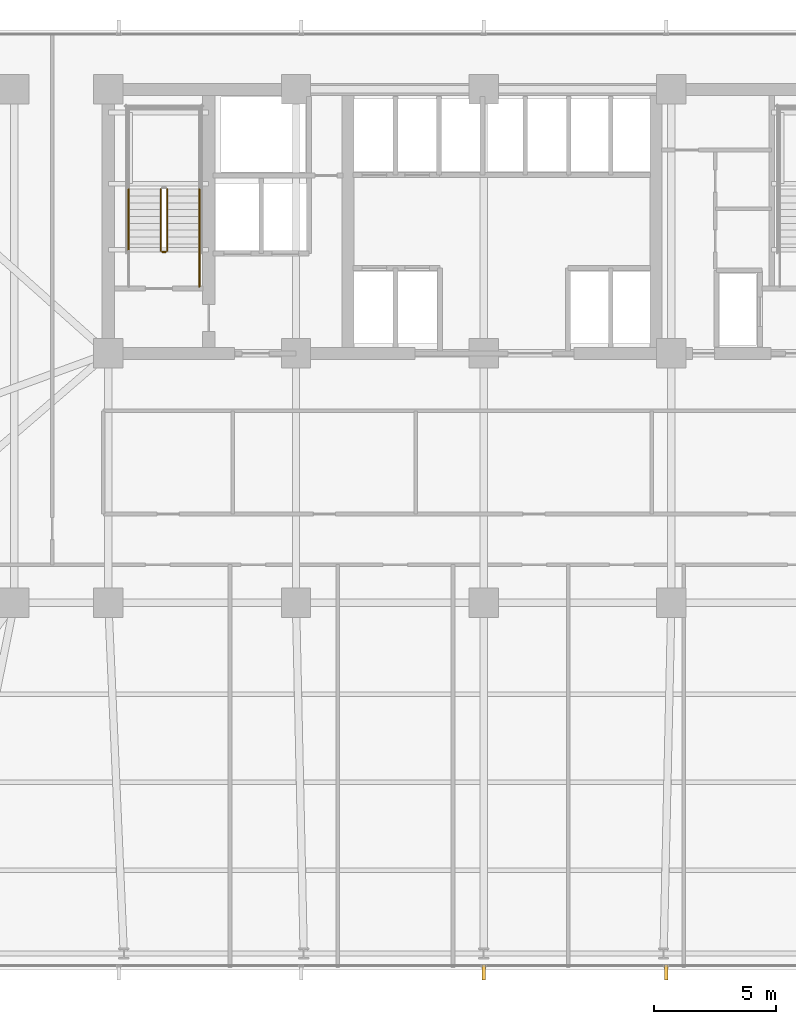
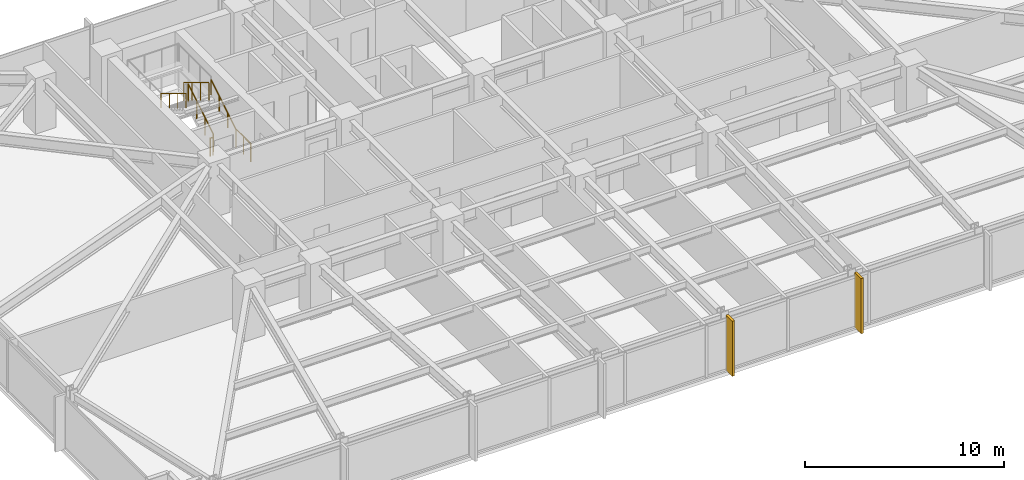
# One storey, part 28 of 32: 6 railings, 2 shading devices.
"""IFC4 building model written with IfcOpenShell, lengths in metres."""

from ifc_helpers import new_model, si_unit, direction, frame, origin, origin_2d, place, context, subcontext, project, spatial, rectangle, circle, extrude, material, layer, layer_set, type_object, element, save


model = new_model("IFC4")

# Units and contexts
model_context = context("Model", 3, precision=1e-05, world=origin(), true_north=direction((0.0, 1.0)))
body_context = subcontext(model_context, "Body", "Model", "MODEL_VIEW")
ifc_project = project(units=[si_unit("LENGTHUNIT", "METRE"), si_unit("AREAUNIT", "SQUARE_METRE"), si_unit("VOLUMEUNIT", "CUBIC_METRE"), si_unit("PLANEANGLEUNIT", "RADIAN"), si_unit("MASSUNIT", "GRAM", prefix="KILO")], contexts=[model_context])

# Site, building, storey
site_placement = place(None, origin())
site = spatial("IfcSite", under=ifc_project, at=site_placement, CompositionType="ELEMENT")
building_placement = place(site_placement, origin())
building = spatial("IfcBuilding", under=site, at=building_placement, Name="Yelkora Congress Tower", CompositionType="ELEMENT")
storey_placement = place(building_placement, frame((0.0, 0.0, 61.0)))
storey = spatial("IfcBuildingStorey", under=building, at=storey_placement, Name="L15", CompositionType="ELEMENT", Elevation=61.0)

# Railings
ifc_material_1 = material(Name="Painted galvanised steel stair well guard with vertical infill", Category="steel")
ifc_layer_1 = layer(ifc_material_1, 0.06005859375)
ifc_layer_set_1 = layer_set([ifc_layer_1], Name="Painted galvanised steel stair well guard with vertical infill")
railing_type_1 = type_object("IfcRailingType", Name="RAIL-STAIR-GUARD-1120", PredefinedType="GUARDRAIL", material=ifc_layer_set_1)
railing_1_placement = place(storey_placement, frame((25.449951171875, 39.60009765625, 0.169921875)))
element("IfcRailing", 1, at=railing_1_placement, inside=storey, type_object=railing_type_1, Name="ST-01 L15 Stair Well Guardrail 1", PredefinedType="GUARDRAIL", context=body_context, shape_type="SweptSolid", body=[
    extrude(circle(Radius=0.02392578125, at=origin_2d()), frame((0.0, 0.0, 1.09619140625), z_axis=(0.0, 0.85478489116, 0.518982456201), x_axis=(-1.0, 0.0, 0.0)), (0.0, 0.0, 1.0), 2.9482421875),
    extrude(circle(Radius=0.02099609375, at=origin_2d()), origin(), (0.0, 0.0, 1.0), 1.072021484375),
    extrude(circle(Radius=0.02099609375, at=origin_2d()), frame((0.0, 0.840087890625, 0.510009765625)), (0.0, 0.0, 1.0), 1.072021484375),
    extrude(circle(Radius=0.02099609375, at=origin_2d()), frame((0.0, 1.679931640625, 1.02001953125)), (0.0, 0.0, 1.0), 1.072021484375),
    extrude(circle(Radius=0.02099609375, at=origin_2d()), frame((0.0, 2.52001953125, 1.530029296875)), (0.0, 0.0, 1.0), 1.072021484375),
])
railing_2_placement = place(storey_placement, frame((25.18994140625, 42.1201171875, 1.8701171875)))
element("IfcRailing", 2, at=railing_2_placement, inside=storey, type_object=railing_type_1, Name="ST-01 L15 Stair Well Guardrail 6", PredefinedType="GUARDRAIL", context=body_context, shape_type="SweptSolid", body=[
    extrude(circle(Radius=0.02392578125, at=origin_2d()), frame((0.0, 0.0, 1.09619140625), z_axis=(0.0, -0.854821627497, 0.518921945155), x_axis=(1.0, 0.0, 0.0)), (0.0, 0.0, 1.0), 2.947998046875),
    extrude(circle(Radius=0.02099609375, at=origin_2d()), origin(), (0.0, 0.0, 1.0), 1.072021484375),
    extrude(circle(Radius=0.02099609375, at=origin_2d()), frame((0.0, -0.840087890625, 0.510009765625)), (0.0, 0.0, 1.0), 1.072021484375),
    extrude(circle(Radius=0.02099609375, at=origin_2d()), frame((0.0, -1.679931640625, 1.019775390625)), (0.0, 0.0, 1.0), 1.072021484375),
    extrude(circle(Radius=0.02099609375, at=origin_2d()), frame((0.0, -2.52001953125, 1.52978515625)), (0.0, 0.0, 1.0), 1.072021484375),
])
railing_3_placement = place(storey_placement, frame((25.39990234375, 39.550048828125, 0.0)))
element("IfcRailing", 3, at=railing_3_placement, inside=storey, type_object=railing_type_1, Name="ST-01 L15 Stair Well Guardrail 7", PredefinedType="GUARDRAIL", context=body_context, shape_type="SweptSolid", body=[
    extrude(circle(Radius=0.02392578125, at=origin_2d()), frame((0.0, 0.0, 1.09619140625), z_axis=(-1.0, 0.0, 0.0), x_axis=(0.0, -1.0, 0.0)), (0.0, 0.0, 1.0), 0.159912109375),
    extrude(circle(Radius=0.02099609375, at=origin_2d()), origin(), (0.0, 0.0, 1.0), 1.072021484375),
    extrude(circle(Radius=0.02099609375, at=origin_2d()), frame((-0.159912109375, 0.0, 0.0)), (0.0, 0.0, 1.0), 1.072021484375),
])
railing_4_placement = place(storey_placement, frame((26.77001953125, 38.1201171875, 0.0)))
element("IfcRailing", 4, at=railing_4_placement, inside=storey, type_object=railing_type_1, Name="ST-01 L15 Stair Well Guardrail 8", PredefinedType="GUARDRAIL", context=body_context, shape_type="SweptSolid", body=[
    extrude(circle(Radius=0.02392578125, at=origin_2d()), frame((0.0, 0.0, 1.09619140625), z_axis=(0.0, 1.0, 0.0), x_axis=(-1.0, 0.0, 0.0)), (0.0, 0.0, 1.0), 1.47998046875),
    extrude(circle(Radius=0.02099609375, at=origin_2d()), origin(), (0.0, 0.0, 1.0), 1.072021484375),
    extrude(circle(Radius=0.02099609375, at=origin_2d()), frame((0.0, 0.739990234375, 0.0)), (0.0, 0.0, 1.0), 1.072021484375),
    extrude(circle(Radius=0.02099609375, at=origin_2d()), frame((0.0, 1.47998046875, 0.0)), (0.0, 0.0, 1.0), 1.072021484375),
])
ifc_material_2 = material(Name="Brushed stainless steel tubular handrail", Category="steel")
ifc_layer_2 = layer(ifc_material_2, 0.050048828125)
ifc_layer_set_2 = layer_set([ifc_layer_2], Name="Brushed stainless steel tubular handrail")
railing_type_2 = type_object("IfcRailingType", Name="RAIL-STAIR-HAND-920", PredefinedType="HANDRAIL", material=ifc_layer_set_2)
railing_5_placement = place(storey_placement, frame((26.77001953125, 39.60009765625, 0.169921875)))
element("IfcRailing", 5, at=railing_5_placement, inside=storey, type_object=railing_type_2, Name="ST-01 L15 Pitch Handrail 1", PredefinedType="HANDRAIL", context=body_context, shape_type="SweptSolid", body=[
    extrude(circle(Radius=0.02392578125, at=origin_2d()), frame((0.0, 0.0, 0.89599609375), z_axis=(0.0, 0.85478489116, 0.518982456201), x_axis=(-1.0, 0.0, 0.0)), (0.0, 0.0, 1.0), 2.9482421875),
    extrude(circle(Radius=0.02099609375, at=origin_2d()), origin(), (0.0, 0.0, 1.0), 0.871826171875),
    extrude(circle(Radius=0.02099609375, at=origin_2d()), frame((0.0, 0.840087890625, 0.510009765625)), (0.0, 0.0, 1.0), 0.871826171875),
    extrude(circle(Radius=0.02099609375, at=origin_2d()), frame((0.0, 1.679931640625, 1.02001953125)), (0.0, 0.0, 1.0), 0.871826171875),
    extrude(circle(Radius=0.02099609375, at=origin_2d()), frame((0.0, 2.52001953125, 1.530029296875)), (0.0, 0.0, 1.0), 0.871826171875),
])
railing_6_placement = place(storey_placement, frame((23.8701171875, 42.1201171875, 1.8701171875)))
element("IfcRailing", 6, at=railing_6_placement, inside=storey, type_object=railing_type_2, Name="ST-01 L15 Pitch Handrail 2", PredefinedType="HANDRAIL", context=body_context, shape_type="SweptSolid", body=[
    extrude(circle(Radius=0.02392578125, at=origin_2d()), frame((0.0, 0.0, 0.89599609375), z_axis=(0.0, -0.854821627497, 0.518921945155), x_axis=(1.0, 0.0, 0.0)), (0.0, 0.0, 1.0), 2.947998046875),
    extrude(circle(Radius=0.02099609375, at=origin_2d()), origin(), (0.0, 0.0, 1.0), 0.871826171875),
    extrude(circle(Radius=0.02099609375, at=origin_2d()), frame((0.0, -0.840087890625, 0.510009765625)), (0.0, 0.0, 1.0), 0.871826171875),
    extrude(circle(Radius=0.02099609375, at=origin_2d()), frame((0.0, -1.679931640625, 1.019775390625)), (0.0, 0.0, 1.0), 0.871826171875),
    extrude(circle(Radius=0.02099609375, at=origin_2d()), frame((0.0, -2.52001953125, 1.52978515625)), (0.0, 0.0, 1.0), 0.871826171875),
])

# Shading devices
ifc_material_3 = material(Name="Champagne anodised aluminium", Category="aluminium")
ifc_layer_3 = layer(ifc_material_3, 3.39990234375)
ifc_layer_set_3 = layer_set([ifc_layer_3], Name="Champagne anodised aluminium")
shading_device_type = type_object("IfcShadingDeviceType", Name="SHD-FIN-ALU-640", PredefinedType="USERDEFINED", material=ifc_layer_set_3)
for number, where, z_axis, x_axis, name in (
    (7, (45.864990234375, 10.080078125, -0.030029296875), (0.0, 0.0, 1.0), (-1.0, 0.0, 0.0), "L15 Vertical Anodised Solar Fin 20-3"),
    (8, (38.39990234375, 10.080078125, -0.030029296875), (0.0, 0.0, 1.0), (-1.0, 0.0, 0.0), "L15 Vertical Anodised Solar Fin 20-4"),
):
    element("IfcShadingDevice", number, at=place(storey_placement, frame(where, z_axis=z_axis, x_axis=x_axis)), inside=storey, type_object=shading_device_type, Name=name, ObjectType="FIN", PredefinedType="USERDEFINED", context=body_context, shape_type="SweptSolid", body=[
        extrude(rectangle(XDim=0.139892578125, YDim=0.639892578125, at=origin_2d()), origin(), (0.0, 0.0, 1.0), 3.3798828125),
    ])

save(model, "model.ifc")
